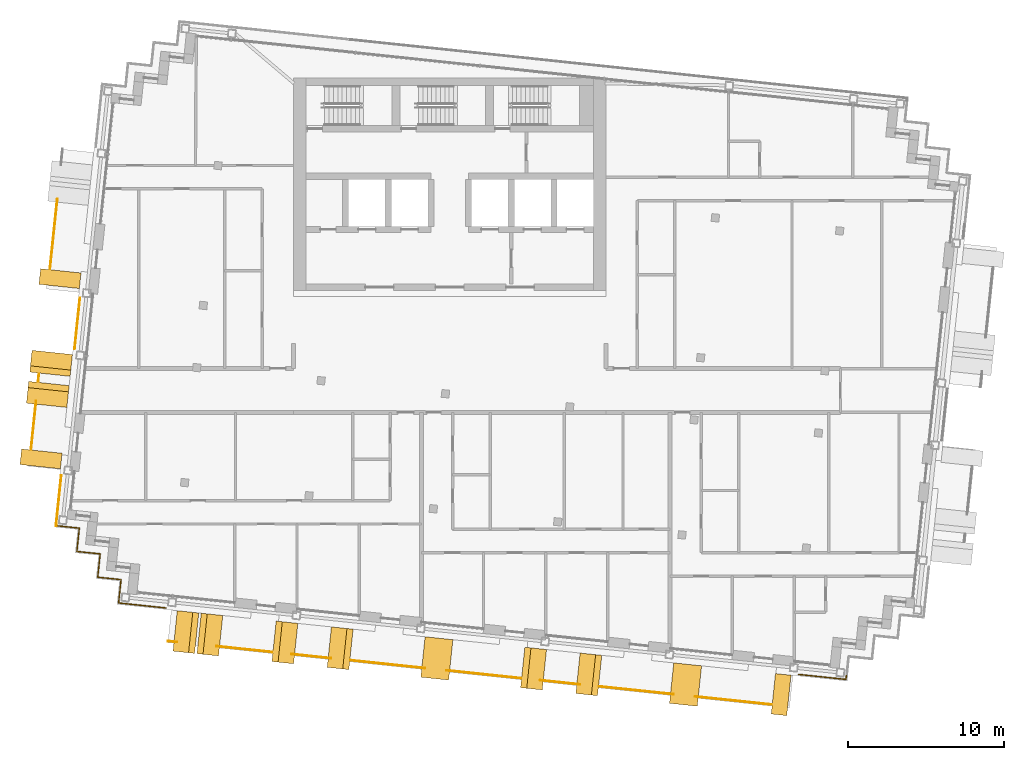
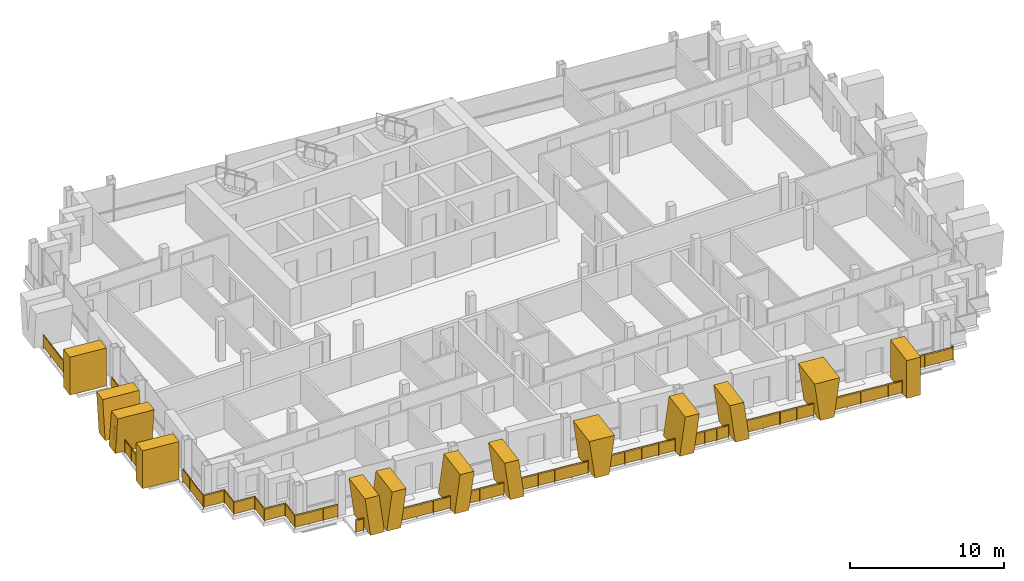
# One storey, part 14 of 17: 15 railings, 13 shading devices.
"""IFC4 building model written with IfcOpenShell, lengths in metres."""

from ifc_helpers import new_model, si_unit, direction, frame, origin, origin_2d, place, context, subcontext, project, spatial, polyline, rectangle, circle, outline, extrude, material, layer, layer_set, type_object, element, save


model = new_model("IFC4")

# Units and contexts
model_context = context("Model", 3, precision=1e-05, world=origin(), true_north=direction((0.0, 1.0)))
body_context = subcontext(model_context, "Body", "Model", "MODEL_VIEW")
ifc_project = project(units=[si_unit("LENGTHUNIT", "METRE"), si_unit("AREAUNIT", "SQUARE_METRE"), si_unit("VOLUMEUNIT", "CUBIC_METRE"), si_unit("PLANEANGLEUNIT", "RADIAN"), si_unit("MASSUNIT", "GRAM", prefix="KILO")], contexts=[model_context])

# Site, building, storey
site_placement = place(None, origin())
site = spatial("IfcSite", under=ifc_project, at=site_placement, CompositionType="ELEMENT")
building_placement = place(site_placement, origin())
building = spatial("IfcBuilding", under=site, at=building_placement, Name="Vidyagriha Tower", CompositionType="ELEMENT")
storey_placement = place(building_placement, frame((0.0, 0.0, 269.10009765625)))
storey = spatial("IfcBuildingStorey", under=building, at=storey_placement, Name="L70", CompositionType="ELEMENT", Elevation=269.10009765625)

# Railings
ifc_material_1 = material(Name="Steel ASTM A500 Grade C black painted", Category="steel")
railing_type_1 = type_object("IfcRailingType", Name="Balcony guard 1100", PredefinedType="BALUSTRADE", material=ifc_material_1)
railing_1_placement = place(storey_placement, frame((-25.111328125, 12.24951171875, 0.0)))
element("IfcRailing", 1, at=railing_1_placement, inside=storey, type_object=railing_type_1, Name="Balcony guard L70 R14.1-2", PredefinedType="BALUSTRADE", context=body_context, shape_type="SweptSolid", body=[
    extrude(circle(Radius=0.02490234375, at=origin_2d()), frame((0.0, 0.0, 1.0751953125), z_axis=(-0.104512386779, -0.994523584944, 0.0), x_axis=(0.994523584944, -0.104512386779, 0.0)), (0.0, 0.0, 1.0), 4.496826171875),
    extrude(circle(Radius=0.02001953125, at=origin_2d()), origin(), (0.0, 0.0, 1.0), 1.050048828125),
    extrude(circle(Radius=0.02001953125, at=origin_2d()), frame((-0.117431640625, -1.1181640625, 0.0)), (0.0, 0.0, 1.0), 1.050048828125),
    extrude(circle(Radius=0.02001953125, at=origin_2d()), frame((-0.23486328125, -2.236083984375, 0.0)), (0.0, 0.0, 1.0), 1.050048828125),
    extrude(circle(Radius=0.02001953125, at=origin_2d()), frame((-0.3525390625, -3.35400390625, 0.0)), (0.0, 0.0, 1.0), 1.050048828125),
    extrude(circle(Radius=0.02001953125, at=origin_2d()), frame((-0.469970703125, -4.47216796875, 0.0)), (0.0, 0.0, 1.0), 1.050048828125),
    extrude(rectangle(XDim=0.010009765625, YDim=0.900146484375, at=origin_2d()), frame((0.0, 0.0, 0.550048828125), z_axis=(-0.104512386779, -0.994523584944, 0.0), x_axis=(0.994523584944, -0.104512386779, 0.0)), (0.0, 0.0, 1.0), 4.496826171875),
])
railing_2_placement = place(storey_placement, frame((-26.286865234375, 1.064453125, 0.0)))
element("IfcRailing", 2, at=railing_2_placement, inside=storey, type_object=railing_type_1, Name="Balcony guard L70 R14.2-1", PredefinedType="BALUSTRADE", context=body_context, shape_type="SweptSolid", body=[
    extrude(circle(Radius=0.02490234375, at=origin_2d()), frame((0.0, 0.0, 1.0751953125), z_axis=(-0.104481464157, -0.994526834051, 0.0), x_axis=(0.994526834051, -0.104481464157, 0.0)), (0.0, 0.0, 1.0), 0.5),
    extrude(circle(Radius=0.02001953125, at=origin_2d()), origin(), (0.0, 0.0, 1.0), 1.050048828125),
    extrude(circle(Radius=0.02001953125, at=origin_2d()), frame((-0.05224609375, -0.497314453125, 0.0)), (0.0, 0.0, 1.0), 1.050048828125),
    extrude(rectangle(XDim=0.010009765625, YDim=0.900146484375, at=origin_2d()), frame((0.0, 0.0, 0.550048828125), z_axis=(-0.104481464157, -0.994526834051, 0.0), x_axis=(0.994526834051, -0.104481464157, 0.0)), (0.0, 0.0, 1.0), 0.5),
])
railing_3_placement = place(storey_placement, frame((-26.47021484375, -0.679443359375, 0.0)))
element("IfcRailing", 3, at=railing_3_placement, inside=storey, type_object=railing_type_1, Name="Balcony guard L70 R14.2-2", PredefinedType="BALUSTRADE", context=body_context, shape_type="SweptSolid", body=[
    extrude(circle(Radius=0.02490234375, at=origin_2d()), frame((0.0, 0.0, 1.0751953125), z_axis=(-0.104545242946, -0.99452013161, 0.0), x_axis=(0.99452013161, -0.104545242946, 0.0)), (0.0, 0.0, 1.0), 3.0966796875),
    extrude(circle(Radius=0.02001953125, at=origin_2d()), origin(), (0.0, 0.0, 1.0), 1.050048828125),
    extrude(circle(Radius=0.02001953125, at=origin_2d()), frame((-0.10791015625, -1.026611328125, 0.0)), (0.0, 0.0, 1.0), 1.050048828125),
    extrude(circle(Radius=0.02001953125, at=origin_2d()), frame((-0.2158203125, -2.052978515625, 0.0)), (0.0, 0.0, 1.0), 1.050048828125),
    extrude(circle(Radius=0.02001953125, at=origin_2d()), frame((-0.32373046875, -3.07958984375, 0.0)), (0.0, 0.0, 1.0), 1.050048828125),
    extrude(rectangle(XDim=0.010009765625, YDim=0.900146484375, at=origin_2d()), frame((0.0, 0.0, 0.550048828125), z_axis=(-0.104545242946, -0.99452013161, 0.0), x_axis=(0.99452013161, -0.104545242946, 0.0)), (0.0, 0.0, 1.0), 3.0966796875),
])
railing_4_placement = place(storey_placement, frame((-18.02978515625, -16.04248046875, 0.0)))
element("IfcRailing", 4, at=railing_4_placement, inside=storey, type_object=railing_type_1, Name="Balcony guard L70 R21.1-1", PredefinedType="BALUSTRADE", context=body_context, shape_type="SweptSolid", body=[
    extrude(circle(Radius=0.02490234375, at=origin_2d()), frame((0.0, 0.0, 1.0751953125), z_axis=(0.994505452921, -0.104684784518, 0.0), x_axis=(0.104684784518, 0.994505452921, 0.0)), (0.0, 0.0, 1.0), 0.57373046875),
    extrude(circle(Radius=0.02001953125, at=origin_2d()), origin(), (0.0, 0.0, 1.0), 1.050048828125),
    extrude(circle(Radius=0.02001953125, at=origin_2d()), frame((0.570556640625, -0.06005859375, 0.0)), (0.0, 0.0, 1.0), 1.050048828125),
    extrude(rectangle(XDim=0.010009765625, YDim=0.900146484375, at=origin_2d()), frame((0.0, 0.0, 0.550048828125), z_axis=(0.994505452921, -0.104684784518, 0.0), x_axis=(0.104684784518, 0.994505452921, 0.0)), (0.0, 0.0, 1.0), 0.57373046875),
])
railing_5_placement = place(storey_placement, frame((-14.92041015625, -16.369384765625, 0.0)))
element("IfcRailing", 5, at=railing_5_placement, inside=storey, type_object=railing_type_1, Name="Balcony guard L70 R21.1-2", PredefinedType="BALUSTRADE", context=body_context, shape_type="SweptSolid", body=[
    extrude(circle(Radius=0.02490234375, at=origin_2d()), frame((0.0, 0.0, 1.0751953125), z_axis=(0.994521912078, -0.104528304285, 0.0), x_axis=(0.104528304285, 0.994521912078, 0.0)), (0.0, 0.0, 1.0), 3.573486328125),
    extrude(circle(Radius=0.02001953125, at=origin_2d()), origin(), (0.0, 0.0, 1.0), 1.050048828125),
    extrude(circle(Radius=0.02001953125, at=origin_2d()), frame((1.1845703125, -0.12451171875, 0.0)), (0.0, 0.0, 1.0), 1.050048828125),
    extrude(circle(Radius=0.02001953125, at=origin_2d()), frame((2.369384765625, -0.2490234375, 0.0)), (0.0, 0.0, 1.0), 1.050048828125),
    extrude(circle(Radius=0.02001953125, at=origin_2d()), frame((3.553955078125, -0.37353515625, 0.0)), (0.0, 0.0, 1.0), 1.050048828125),
    extrude(rectangle(XDim=0.010009765625, YDim=0.900146484375, at=origin_2d()), frame((0.0, 0.0, 0.550048828125), z_axis=(0.994521912078, -0.104528304285, 0.0), x_axis=(0.104528304285, 0.994521912078, 0.0)), (0.0, 0.0, 1.0), 3.573486328125),
])
railing_6_placement = place(storey_placement, frame((-10.121826171875, -16.873779296875, 0.0)))
element("IfcRailing", 6, at=railing_6_placement, inside=storey, type_object=railing_type_1, Name="Balcony guard L70 R21.1-3", PredefinedType="BALUSTRADE", context=body_context, shape_type="SweptSolid", body=[
    extrude(circle(Radius=0.02490234375, at=origin_2d()), frame((0.0, 0.0, 1.0751953125), z_axis=(0.994527489205, -0.10447522776, 0.0), x_axis=(0.10447522776, 0.994527489205, 0.0)), (0.0, 0.0, 1.0), 2.547119140625),
    extrude(circle(Radius=0.02001953125, at=origin_2d()), origin(), (0.0, 0.0, 1.0), 1.050048828125),
    extrude(circle(Radius=0.02001953125, at=origin_2d()), frame((0.844482421875, -0.088623046875, 0.0)), (0.0, 0.0, 1.0), 1.050048828125),
    extrude(circle(Radius=0.02001953125, at=origin_2d()), frame((1.688720703125, -0.177490234375, 0.0)), (0.0, 0.0, 1.0), 1.050048828125),
    extrude(circle(Radius=0.02001953125, at=origin_2d()), frame((2.533203125, -0.26611328125, 0.0)), (0.0, 0.0, 1.0), 1.050048828125),
    extrude(rectangle(XDim=0.010009765625, YDim=0.900146484375, at=origin_2d()), frame((0.0, 0.0, 0.550048828125), z_axis=(0.994527489205, -0.10447522776, 0.0), x_axis=(0.10447522776, 0.994527489205, 0.0)), (0.0, 0.0, 1.0), 2.547119140625),
])
for number, where, name in (
    (7, (-6.343994140625, -17.270751953125, 0.0), "Balcony guard L70 R21.1-4"),
    (8, (-0.201416015625, -17.916259765625, 0.0), "Balcony guard L70 R21.1-5"),
):
    element("IfcRailing", number, at=place(storey_placement, frame(where)), inside=storey, type_object=railing_type_1, Name=name, PredefinedType="BALUSTRADE", context=body_context, shape_type="SweptSolid", body=[
        extrude(circle(Radius=0.02490234375, at=origin_2d()), frame((0.0, 0.0, 1.0751953125), z_axis=(0.994520575937, -0.104541016056, 0.0), x_axis=(0.104541016056, 0.994520575937, 0.0)), (0.0, 0.0, 1.0), 4.7734375),
        extrude(circle(Radius=0.02001953125, at=origin_2d()), origin(), (0.0, 0.0, 1.0), 1.050048828125),
        extrude(circle(Radius=0.02001953125, at=origin_2d()), frame((1.186767578125, -0.124755859375, 0.0)), (0.0, 0.0, 1.0), 1.050048828125),
        extrude(circle(Radius=0.02001953125, at=origin_2d()), frame((2.37353515625, -0.24951171875, 0.0)), (0.0, 0.0, 1.0), 1.050048828125),
        extrude(circle(Radius=0.02001953125, at=origin_2d()), frame((3.560546875, -0.374267578125, 0.0)), (0.0, 0.0, 1.0), 1.050048828125),
        extrude(circle(Radius=0.02001953125, at=origin_2d()), frame((4.747314453125, -0.4990234375, 0.0)), (0.0, 0.0, 1.0), 1.050048828125),
        extrude(rectangle(XDim=0.010009765625, YDim=0.900146484375, at=origin_2d()), frame((0.0, 0.0, 0.550048828125), z_axis=(0.994520575937, -0.104541016056, 0.0), x_axis=(0.104541016056, 0.994520575937, 0.0)), (0.0, 0.0, 1.0), 4.7734375),
    ])
railing_7_placement = place(storey_placement, frame((5.79052734375, -18.546142578125, 0.0)))
element("IfcRailing", 9, at=railing_7_placement, inside=storey, type_object=railing_type_1, Name="Balcony guard L70 R21.1-6", PredefinedType="BALUSTRADE", context=body_context, shape_type="SweptSolid", body=[
    extrude(circle(Radius=0.02490234375, at=origin_2d()), frame((0.0, 0.0, 1.0751953125), z_axis=(0.994527489205, -0.10447522776, 0.0), x_axis=(0.10447522776, 0.994527489205, 0.0)), (0.0, 0.0, 1.0), 2.547119140625),
    extrude(circle(Radius=0.02001953125, at=origin_2d()), origin(), (0.0, 0.0, 1.0), 1.050048828125),
    extrude(circle(Radius=0.02001953125, at=origin_2d()), frame((0.844482421875, -0.088623046875, 0.0)), (0.0, 0.0, 1.0), 1.050048828125),
    extrude(circle(Radius=0.02001953125, at=origin_2d()), frame((1.688720703125, -0.177490234375, 0.0)), (0.0, 0.0, 1.0), 1.050048828125),
    extrude(circle(Radius=0.02001953125, at=origin_2d()), frame((2.533203125, -0.26611328125, 0.0)), (0.0, 0.0, 1.0), 1.050048828125),
    extrude(rectangle(XDim=0.010009765625, YDim=0.900146484375, at=origin_2d()), frame((0.0, 0.0, 0.550048828125), z_axis=(0.994527489205, -0.10447522776, 0.0), x_axis=(0.10447522776, 0.994527489205, 0.0)), (0.0, 0.0, 1.0), 2.547119140625),
])
railing_8_placement = place(storey_placement, frame((9.568359375, -18.943115234375, 0.0)))
element("IfcRailing", 10, at=railing_8_placement, inside=storey, type_object=railing_type_1, Name="Balcony guard L70 R21.1-7", PredefinedType="BALUSTRADE", context=body_context, shape_type="SweptSolid", body=[
    extrude(circle(Radius=0.02490234375, at=origin_2d()), frame((0.0, 0.0, 1.0751953125), z_axis=(0.994520575937, -0.104541016056, 0.0), x_axis=(0.104541016056, 0.994520575937, 0.0)), (0.0, 0.0, 1.0), 4.7734375),
    extrude(circle(Radius=0.02001953125, at=origin_2d()), origin(), (0.0, 0.0, 1.0), 1.050048828125),
    extrude(circle(Radius=0.02001953125, at=origin_2d()), frame((1.186767578125, -0.124755859375, 0.0)), (0.0, 0.0, 1.0), 1.050048828125),
    extrude(circle(Radius=0.02001953125, at=origin_2d()), frame((2.37353515625, -0.24951171875, 0.0)), (0.0, 0.0, 1.0), 1.050048828125),
    extrude(circle(Radius=0.02001953125, at=origin_2d()), frame((3.560546875, -0.374267578125, 0.0)), (0.0, 0.0, 1.0), 1.050048828125),
    extrude(circle(Radius=0.02001953125, at=origin_2d()), frame((4.747314453125, -0.4990234375, 0.0)), (0.0, 0.0, 1.0), 1.050048828125),
    extrude(rectangle(XDim=0.010009765625, YDim=0.900146484375, at=origin_2d()), frame((0.0, 0.0, 0.550048828125), z_axis=(0.994520575937, -0.104541016056, 0.0), x_axis=(0.104541016056, 0.994520575937, 0.0)), (0.0, 0.0, 1.0), 4.7734375),
])
railing_9_placement = place(storey_placement, frame((15.7109375, -19.5888671875, 0.0)))
element("IfcRailing", 11, at=railing_9_placement, inside=storey, type_object=railing_type_1, Name="Balcony guard L70 R21.1-8", PredefinedType="BALUSTRADE", context=body_context, shape_type="SweptSolid", body=[
    extrude(circle(Radius=0.02490234375, at=origin_2d()), frame((0.0, 0.0, 1.0751953125), z_axis=(0.994523190139, -0.104516143616, 0.0), x_axis=(0.104516143616, 0.994523190139, 0.0)), (0.0, 0.0, 1.0), 4.8984375),
    extrude(circle(Radius=0.02001953125, at=origin_2d()), origin(), (0.0, 0.0, 1.0), 1.050048828125),
    extrude(circle(Radius=0.02001953125, at=origin_2d()), frame((0.974365234375, -0.102294921875, 0.0)), (0.0, 0.0, 1.0), 1.050048828125),
    extrude(circle(Radius=0.02001953125, at=origin_2d()), frame((1.94873046875, -0.204833984375, 0.0)), (0.0, 0.0, 1.0), 1.050048828125),
    extrude(circle(Radius=0.02001953125, at=origin_2d()), frame((2.9228515625, -0.30712890625, 0.0)), (0.0, 0.0, 1.0), 1.050048828125),
    extrude(circle(Radius=0.02001953125, at=origin_2d()), frame((3.897216796875, -0.40966796875, 0.0)), (0.0, 0.0, 1.0), 1.050048828125),
    extrude(circle(Radius=0.02001953125, at=origin_2d()), frame((4.87158203125, -0.511962890625, 0.0)), (0.0, 0.0, 1.0), 1.050048828125),
    extrude(rectangle(XDim=0.010009765625, YDim=0.900146484375, at=origin_2d()), frame((0.0, 0.0, 0.550048828125), z_axis=(0.994523190139, -0.104516143616, 0.0), x_axis=(0.104516143616, 0.994523190139, 0.0)), (0.0, 0.0, 1.0), 4.8984375),
])

# Shading devices
ifc_material_2 = material(Name="Precast concrete C40/50 with buff brick facing", Category="concrete")
ifc_layer_1 = layer(ifc_material_2, 1.0)
ifc_layer_set_1 = layer_set([ifc_layer_1], Name="Precast concrete C40/50 with buff brick facing")
shading_device_type_1 = type_object("IfcShadingDeviceType", Name="Brick-faced blade fin arm leaning 8 degrees", PredefinedType="USERDEFINED", material=ifc_layer_set_1)
shading_device_1_placement = place(storey_placement, frame((-25.648193359375, 0.444091796875, 0.0), z_axis=(0.0, 0.0, 1.0), x_axis=(-0.104648468085, -0.994509275033, 0.0)))
element("IfcShadingDevice", 12, at=shading_device_1_placement, inside=storey, type_object=shading_device_type_1, Name="Leaning blade fin L70 R14.1630a", ObjectType="BLADE FIN", PredefinedType="USERDEFINED", context=body_context, shape_type="SweptSolid", body=[
    extrude(outline(polyline([(0.0, 0.0), (1.0, 0.0), (1.39990234375, 3.0), (0.39990234375, 3.0), (0.0, 0.0)])), frame((0.0, 1.300048828125, 0.0), z_axis=(0.0, -1.0, 0.0), x_axis=(1.0, 0.0, 0.0)), (0.0, 0.0, 1.0), 2.60009765625),
])
shading_device_2_placement = place(storey_placement, frame((-25.439208984375, 2.433349609375, 0.0), z_axis=(0.0, 0.0, 1.0), x_axis=(-0.104457839748, -0.994529315664, 0.0)))
element("IfcShadingDevice", 13, at=shading_device_2_placement, inside=storey, type_object=shading_device_type_1, Name="Leaning blade fin L70 R14.1630b", ObjectType="BLADE FIN", PredefinedType="USERDEFINED", context=body_context, shape_type="SweptSolid", body=[
    extrude(outline(polyline([(0.39990234375, 0.0), (1.39990234375, 0.0), (1.0, 3.0), (0.0, 3.0), (0.39990234375, 0.0)])), frame((0.0, 1.300048828125, 0.0), z_axis=(0.0, -1.0, 0.0), x_axis=(1.0, 0.0, 0.0)), (0.0, 0.0, 1.0), 2.60009765625),
])
shading_device_3_placement = place(storey_placement, frame((-16.03857421875, -15.548095703125, 0.0), z_axis=(0.0, 0.0, 1.0), x_axis=(0.99452763387, -0.104473850644, 0.0)))
element("IfcShadingDevice", 14, at=shading_device_3_placement, inside=storey, type_object=shading_device_type_1, Name="Leaning blade fin L70 R21.230a", ObjectType="BLADE FIN", PredefinedType="USERDEFINED", context=body_context, shape_type="SweptSolid", body=[
    extrude(outline(polyline([(0.0, 0.0), (1.0, 0.0), (1.3857421875, 3.0), (0.3857421875, 3.0), (0.0, 0.0)])), frame((0.0, 1.300048828125, 0.0), z_axis=(0.0, -1.0, 0.0), x_axis=(1.0, 0.0, 0.0)), (0.0, 0.0, 1.0), 2.60009765625),
])
shading_device_4_placement = place(storey_placement, frame((-17.572998046875, -15.38671875, 0.0), z_axis=(0.0, 0.0, 1.0), x_axis=(0.99452763387, -0.104473850644, 0.0)))
element("IfcShadingDevice", 15, at=shading_device_4_placement, inside=storey, type_object=shading_device_type_1, Name="Leaning blade fin L70 R21.230b", ObjectType="BLADE FIN", PredefinedType="USERDEFINED", context=body_context, shape_type="SweptSolid", body=[
    extrude(outline(polyline([(0.3857421875, 0.0), (1.3857421875, 0.0), (1.0, 3.0), (0.0, 3.0), (0.3857421875, 0.0)])), frame((0.0, 1.300048828125, 0.0), z_axis=(0.0, -1.0, 0.0), x_axis=(1.0, 0.0, 0.0)), (0.0, 0.0, 1.0), 2.60009765625),
])
shading_device_5_placement = place(storey_placement, frame((-7.7080078125, -16.423583984375, 0.0), z_axis=(0.0, 0.0, 1.0), x_axis=(0.994525575058, -0.104493447432, 0.0)))
element("IfcShadingDevice", 16, at=shading_device_5_placement, inside=storey, type_object=shading_device_type_1, Name="Leaning blade fin L70 R21.1030a", ObjectType="BLADE FIN", PredefinedType="USERDEFINED", context=body_context, shape_type="SweptSolid", body=[
    extrude(outline(polyline([(0.39501953125, 0.0), (1.39501953125, 0.0), (1.0, 3.0), (0.0, 3.0), (0.39501953125, 0.0)])), frame((0.0, 1.300048828125, 0.0), z_axis=(0.0, -1.0, 0.0), x_axis=(1.0, 0.0, 0.0)), (0.0, 0.0, 1.0), 2.60009765625),
])
shading_device_6_placement = place(storey_placement, frame((-11.243408203125, -16.052001953125, 0.0), z_axis=(0.0, 0.0, 1.0), x_axis=(0.994525575058, -0.104493447432, 0.0)))
element("IfcShadingDevice", 17, at=shading_device_6_placement, inside=storey, type_object=shading_device_type_1, Name="Leaning blade fin L70 R21.1030b", ObjectType="BLADE FIN", PredefinedType="USERDEFINED", context=body_context, shape_type="SweptSolid", body=[
    extrude(outline(polyline([(0.0, 0.0), (1.0, 0.0), (1.39501953125, 3.0), (0.39501953125, 3.0), (0.0, 0.0)])), frame((0.0, 1.300048828125, 0.0), z_axis=(0.0, -1.0, 0.0), x_axis=(1.0, 0.0, 0.0)), (0.0, 0.0, 1.0), 2.60009765625),
])
shading_device_7_placement = place(storey_placement, frame((8.204345703125, -18.095947265625, 0.0), z_axis=(0.0, 0.0, 1.0), x_axis=(0.9945274857, -0.104475261123, 0.0)))
element("IfcShadingDevice", 18, at=shading_device_7_placement, inside=storey, type_object=shading_device_type_1, Name="Leaning blade fin L70 R21.2630a", ObjectType="BLADE FIN", PredefinedType="USERDEFINED", context=body_context, shape_type="SweptSolid", body=[
    extrude(outline(polyline([(0.39501953125, 0.0), (1.39501953125, 0.0), (1.0, 3.0), (0.0, 3.0), (0.39501953125, 0.0)])), frame((0.0, 1.300048828125, 0.0), z_axis=(0.0, -1.0, 0.0), x_axis=(1.0, 0.0, 0.0)), (0.0, 0.0, 1.0), 2.60009765625),
])
shading_device_8_placement = place(storey_placement, frame((4.668701171875, -17.724365234375, 0.0), z_axis=(0.0, 0.0, 1.0), x_axis=(0.9945274857, -0.104475261123, 0.0)))
element("IfcShadingDevice", 19, at=shading_device_8_placement, inside=storey, type_object=shading_device_type_1, Name="Leaning blade fin L70 R21.2630b", ObjectType="BLADE FIN", PredefinedType="USERDEFINED", context=body_context, shape_type="SweptSolid", body=[
    extrude(outline(polyline([(0.0, 0.0), (1.0, 0.0), (1.39501953125, 3.0), (0.39501953125, 3.0), (0.0, 0.0)])), frame((0.0, 1.300048828125, 0.0), z_axis=(0.0, -1.0, 0.0), x_axis=(1.0, 0.0, 0.0)), (0.0, 0.0, 1.0), 2.60009765625),
])
ifc_material_3 = material(Name="Precast concrete C40/50 with buff brick facing", Category="concrete")
ifc_layer_2 = layer(ifc_material_3, 1.0)
ifc_layer_set_2 = layer_set([ifc_layer_2], Name="Precast concrete C40/50 with buff brick facing")
shading_device_type_2 = type_object("IfcShadingDeviceType", Name="Brick-faced blade fin forking 8 degrees", PredefinedType="USERDEFINED", material=ifc_layer_set_2)
for number, where, z_axis, x_axis, name in (
    (20, (-1.716064453125, -17.05322265625, 0.0), (0.0, 0.0, 1.0), (0.994513670273, -0.104606690222, 0.0), "Forked blade fin L70 R21.1830a"),
    (21, (14.1962890625, -18.725830078125, 0.0), (0.0, 0.0, 1.0), (0.994527849757, -0.104471795517, 0.0), "Forked blade fin L70 R21.3430a"),
):
    element("IfcShadingDevice", number, at=place(storey_placement, frame(where, z_axis=z_axis, x_axis=x_axis)), inside=storey, type_object=shading_device_type_2, Name=name, ObjectType="BLADE FIN", PredefinedType="USERDEFINED", context=body_context, shape_type="SweptSolid", body=[
        extrude(outline(polyline([(0.39501953125, 0.0), (1.39501953125, 0.0), (1.7900390625, 3.0), (0.0, 3.0), (0.39501953125, 0.0)])), frame((0.0, 1.300048828125, 0.0), z_axis=(0.0, -1.0, 0.0), x_axis=(1.0, 0.0, 0.0)), (0.0, 0.0, 1.0), 2.60009765625),
    ])
ifc_material_4 = material(Name="Precast concrete C40/50 with buff brick facing", Category="concrete")
ifc_layer_3 = layer(ifc_material_4, 1.0)
ifc_layer_set_3 = layer_set([ifc_layer_3], Name="Precast concrete C40/50 with buff brick facing")
shading_device_type_3 = type_object("IfcShadingDeviceType", Name="Brick-faced blade fin stem 1000", PredefinedType="USERDEFINED", material=ifc_layer_set_3)
for number, where, z_axis, x_axis, name in (
    (22, (-24.890380859375, 7.654541015625, 0.0), (0.0, 0.0, 1.0), (-0.104481464157, -0.994526834051, 0.0), "Stem blade fin L70 R14.1230a"),
    (23, (-26.102783203125, -3.882080078125, 0.0), (0.0, 0.0, 1.0), (-0.104748335039, -0.99449876134, 0.0), "Stem blade fin L70 R14.2370a"),
    (24, (20.70556640625, -19.409912109375, 0.0), (0.0, 0.0, 1.0), (0.994524168223, -0.104506836238, 0.0), "Stem blade fin L70 R21.4230a"),
):
    element("IfcShadingDevice", number, at=place(storey_placement, frame(where, z_axis=z_axis, x_axis=x_axis)), inside=storey, type_object=shading_device_type_3, Name=name, ObjectType="BLADE FIN", PredefinedType="USERDEFINED", context=body_context, shape_type="SweptSolid", body=[
        extrude(outline(polyline([(0.0, 0.0), (1.0, 0.0), (1.0, 3.0), (0.0, 3.0), (0.0, 0.0)])), frame((0.0, 1.300048828125, 0.0), z_axis=(0.0, -1.0, 0.0), x_axis=(1.0, 0.0, 0.0)), (0.0, 0.0, 1.0), 2.60009765625),
    ])

# Railings
ifc_material_5 = material(Name="Steel ASTM A500 Grade C black painted", Category="steel")
railing_type_2 = type_object("IfcRailingType", Name="Gallery guard 1100", PredefinedType="GUARDRAIL", material=ifc_material_5)
railing_10_placement = place(storey_placement, frame((-18.168212890625, -13.91650390625, 0.0)))
element("IfcRailing", 25, at=railing_10_placement, inside=storey, type_object=railing_type_2, Name="Gallery guard L70 1", PredefinedType="GUARDRAIL", context=body_context, shape_type="SweptSolid", body=[
    extrude(circle(Radius=0.02490234375, at=origin_2d()), frame((0.0, 0.0, 1.0751953125), z_axis=(-0.994518646122, 0.104559373163, 0.0), x_axis=(-0.104559373163, -0.994518646122, 0.0)), (0.0, 0.0, 1.0), 3.0400390625),
    extrude(circle(Radius=0.02490234375, at=origin_2d()), frame((-3.0234375, 0.31787109375, 1.0751953125), z_axis=(0.104481464157, 0.994526834051, 0.0), x_axis=(-0.994526834051, 0.104481464157, 0.0)), (0.0, 0.0, 1.0), 1.500244140625),
    extrude(circle(Radius=0.02490234375, at=origin_2d()), frame((-2.86669921875, 1.809814453125, 1.0751953125), z_axis=(-0.994525057048, 0.104498377516, 0.0), x_axis=(-0.104498377516, -0.994525057048, 0.0)), (0.0, 0.0, 1.0), 1.5),
    extrude(circle(Radius=0.02490234375, at=origin_2d()), frame((-4.3583984375, 1.966552734375, 1.0751953125), z_axis=(0.104498377516, 0.994525057048, 0.0), x_axis=(-0.994525057048, 0.104498377516, 0.0)), (0.0, 0.0, 1.0), 1.5),
    extrude(circle(Radius=0.02490234375, at=origin_2d()), frame((-4.20166015625, 3.458251953125, 1.0751953125), z_axis=(-0.994525057048, 0.104498377516, 0.0), x_axis=(-0.104498377516, -0.994525057048, 0.0)), (0.0, 0.0, 1.0), 1.5),
    extrude(circle(Radius=0.02490234375, at=origin_2d()), frame((-5.693359375, 3.614990234375, 1.0751953125), z_axis=(0.104498377516, 0.994525057048, 0.0), x_axis=(-0.994525057048, 0.104498377516, 0.0)), (0.0, 0.0, 1.0), 1.5),
    extrude(circle(Radius=0.02490234375, at=origin_2d()), frame((-5.53662109375, 5.106689453125, 1.0751953125), z_axis=(-0.994505452921, 0.104684784518, 0.0), x_axis=(-0.104684784518, -0.994505452921, 0.0)), (0.0, 0.0, 1.0), 1.4599609375),
    extrude(circle(Radius=0.02001953125, at=origin_2d()), origin(), (0.0, 0.0, 1.0), 1.050048828125),
    extrude(circle(Radius=0.02001953125, at=origin_2d()), frame((-1.0078125, 0.10595703125, 0.0)), (0.0, 0.0, 1.0), 1.050048828125),
    extrude(circle(Radius=0.02001953125, at=origin_2d()), frame((-2.015625, 0.2119140625, 0.0)), (0.0, 0.0, 1.0), 1.050048828125),
    extrude(circle(Radius=0.02001953125, at=origin_2d()), frame((-3.0234375, 0.31787109375, 0.0)), (0.0, 0.0, 1.0), 1.050048828125),
    extrude(circle(Radius=0.02001953125, at=origin_2d()), frame((-2.945068359375, 1.06396484375, 0.0)), (0.0, 0.0, 1.0), 1.050048828125),
    extrude(circle(Radius=0.02001953125, at=origin_2d()), frame((-2.86669921875, 1.809814453125, 0.0)), (0.0, 0.0, 1.0), 1.050048828125),
    extrude(circle(Radius=0.02001953125, at=origin_2d()), frame((-4.3583984375, 1.966552734375, 0.0)), (0.0, 0.0, 1.0), 1.050048828125),
    extrude(circle(Radius=0.02001953125, at=origin_2d()), frame((-4.20166015625, 3.458251953125, 0.0)), (0.0, 0.0, 1.0), 1.050048828125),
    extrude(circle(Radius=0.02001953125, at=origin_2d()), frame((-5.693359375, 3.614990234375, 0.0)), (0.0, 0.0, 1.0), 1.050048828125),
    extrude(circle(Radius=0.02001953125, at=origin_2d()), frame((-5.53662109375, 5.106689453125, 0.0)), (0.0, 0.0, 1.0), 1.050048828125),
    extrude(circle(Radius=0.02001953125, at=origin_2d()), frame((-6.988525390625, 5.259521484375, 0.0)), (0.0, 0.0, 1.0), 1.050048828125),
    extrude(rectangle(XDim=0.010009765625, YDim=0.900146484375, at=origin_2d()), frame((0.0, 0.0, 0.550048828125), z_axis=(-0.994518646122, 0.104559373163, 0.0), x_axis=(-0.104559373163, -0.994518646122, 0.0)), (0.0, 0.0, 1.0), 3.0400390625),
    extrude(rectangle(XDim=0.010009765625, YDim=0.900146484375, at=origin_2d()), frame((-3.0234375, 0.31787109375, 0.550048828125), z_axis=(0.104481464157, 0.994526834051, 0.0), x_axis=(-0.994526834051, 0.104481464157, 0.0)), (0.0, 0.0, 1.0), 1.500244140625),
    extrude(rectangle(XDim=0.010009765625, YDim=0.900146484375, at=origin_2d()), frame((-2.86669921875, 1.809814453125, 0.550048828125), z_axis=(-0.994525057048, 0.104498377516, 0.0), x_axis=(-0.104498377516, -0.994525057048, 0.0)), (0.0, 0.0, 1.0), 1.5),
    extrude(rectangle(XDim=0.010009765625, YDim=0.900146484375, at=origin_2d()), frame((-4.3583984375, 1.966552734375, 0.550048828125), z_axis=(0.104498377516, 0.994525057048, 0.0), x_axis=(-0.994525057048, 0.104498377516, 0.0)), (0.0, 0.0, 1.0), 1.5),
    extrude(rectangle(XDim=0.010009765625, YDim=0.900146484375, at=origin_2d()), frame((-4.20166015625, 3.458251953125, 0.550048828125), z_axis=(-0.994525057048, 0.104498377516, 0.0), x_axis=(-0.104498377516, -0.994525057048, 0.0)), (0.0, 0.0, 1.0), 1.5),
    extrude(rectangle(XDim=0.010009765625, YDim=0.900146484375, at=origin_2d()), frame((-5.693359375, 3.614990234375, 0.550048828125), z_axis=(0.104498377516, 0.994525057048, 0.0), x_axis=(-0.994525057048, 0.104498377516, 0.0)), (0.0, 0.0, 1.0), 1.5),
    extrude(rectangle(XDim=0.010009765625, YDim=0.900146484375, at=origin_2d()), frame((-5.53662109375, 5.106689453125, 0.550048828125), z_axis=(-0.994505452921, 0.104684784518, 0.0), x_axis=(-0.104684784518, -0.994505452921, 0.0)), (0.0, 0.0, 1.0), 1.4599609375),
])
railing_11_placement = place(storey_placement, frame((-25.15673828125, -8.656982421875, 0.0)))
element("IfcRailing", 26, at=railing_11_placement, inside=storey, type_object=railing_type_2, Name="Gallery guard L70 2", PredefinedType="GUARDRAIL", context=body_context, shape_type="SweptSolid", body=[
    extrude(circle(Radius=0.02490234375, at=origin_2d()), frame((0.0, 0.0, 1.0751953125), z_axis=(-0.99460530117, 0.103731841226, 0.0), x_axis=(-0.103731841226, -0.99460530117, 0.0)), (0.0, 0.0, 1.0), 0.0400390625),
    extrude(circle(Radius=0.02490234375, at=origin_2d()), frame((-0.039794921875, 0.004150390625, 1.0751953125), z_axis=(0.104516113735, 0.994523193279, 0.0), x_axis=(-0.994523193279, 0.104516113735, 0.0)), (0.0, 0.0, 1.0), 3.239990234375),
    extrude(circle(Radius=0.02001953125, at=origin_2d()), origin(), (0.0, 0.0, 1.0), 1.050048828125),
    extrude(circle(Radius=0.02001953125, at=origin_2d()), frame((-0.039794921875, 0.004150390625, 0.0)), (0.0, 0.0, 1.0), 1.050048828125),
    extrude(circle(Radius=0.02001953125, at=origin_2d()), frame((0.072998046875, 1.078125, 0.0)), (0.0, 0.0, 1.0), 1.050048828125),
    extrude(circle(Radius=0.02001953125, at=origin_2d()), frame((0.18603515625, 2.15234375, 0.0)), (0.0, 0.0, 1.0), 1.050048828125),
    extrude(circle(Radius=0.02001953125, at=origin_2d()), frame((0.298828125, 3.226318359375, 0.0)), (0.0, 0.0, 1.0), 1.050048828125),
    extrude(rectangle(XDim=0.010009765625, YDim=0.900146484375, at=origin_2d()), frame((0.0, 0.0, 0.550048828125), z_axis=(-0.99460530117, 0.103731841226, 0.0), x_axis=(-0.103731841226, -0.99460530117, 0.0)), (0.0, 0.0, 1.0), 0.0400390625),
    extrude(rectangle(XDim=0.010009765625, YDim=0.900146484375, at=origin_2d()), frame((-0.039794921875, 0.004150390625, 0.550048828125), z_axis=(0.104516113735, 0.994523193279, 0.0), x_axis=(-0.994523193279, 0.104516113735, 0.0)), (0.0, 0.0, 1.0), 3.239990234375),
])
railing_12_placement = place(storey_placement, frame((-24.009033203125, 2.64501953125, 0.0)))
element("IfcRailing", 27, at=railing_12_placement, inside=storey, type_object=railing_type_2, Name="Gallery guard L70 3", PredefinedType="GUARDRAIL", context=body_context, shape_type="SweptSolid", body=[
    extrude(circle(Radius=0.02490234375, at=origin_2d()), frame((0.0, 0.0, 1.0751953125), z_axis=(0.104506547029, 0.994524198614, 0.0), x_axis=(-0.994524198614, 0.104506547029, 0.0)), (0.0, 0.0, 1.0), 3.280029296875),
    extrude(circle(Radius=0.02001953125, at=origin_2d()), origin(), (0.0, 0.0, 1.0), 1.050048828125),
    extrude(circle(Radius=0.02001953125, at=origin_2d()), frame((0.1142578125, 1.08740234375, 0.0)), (0.0, 0.0, 1.0), 1.050048828125),
    extrude(circle(Radius=0.02001953125, at=origin_2d()), frame((0.228515625, 2.174560546875, 0.0)), (0.0, 0.0, 1.0), 1.050048828125),
    extrude(circle(Radius=0.02001953125, at=origin_2d()), frame((0.3427734375, 3.261962890625, 0.0)), (0.0, 0.0, 1.0), 1.050048828125),
    extrude(rectangle(XDim=0.010009765625, YDim=0.900146484375, at=origin_2d()), frame((0.0, 0.0, 0.550048828125), z_axis=(0.104506547029, 0.994524198614, 0.0), x_axis=(-0.994524198614, 0.104506547029, 0.0)), (0.0, 0.0, 1.0), 3.280029296875),
])
railing_13_placement = place(storey_placement, frame((25.377197265625, -18.251953125, 0.0)))
element("IfcRailing", 28, at=railing_13_placement, inside=storey, type_object=railing_type_2, Name="Gallery guard L70 12", PredefinedType="GUARDRAIL", context=body_context, shape_type="SweptSolid", body=[
    extrude(circle(Radius=0.02490234375, at=origin_2d()), frame((0.0, 0.0, 1.0751953125), z_axis=(-0.104843742972, -0.994488707608, 0.0), x_axis=(0.994488707608, -0.104843742972, 0.0)), (0.0, 0.0, 1.0), 0.23974609375),
    extrude(circle(Radius=0.02490234375, at=origin_2d()), frame((-0.025146484375, -0.238525390625, 1.0751953125), z_axis=(-0.994518646122, 0.104559373163, 0.0), x_axis=(-0.104559373163, -0.994518646122, 0.0)), (0.0, 0.0, 1.0), 3.0400390625),
    extrude(circle(Radius=0.02001953125, at=origin_2d()), origin(), (0.0, 0.0, 1.0), 1.050048828125),
    extrude(circle(Radius=0.02001953125, at=origin_2d()), frame((-0.025146484375, -0.238525390625, 0.0)), (0.0, 0.0, 1.0), 1.050048828125),
    extrude(circle(Radius=0.02001953125, at=origin_2d()), frame((-1.032958984375, -0.132568359375, 0.0)), (0.0, 0.0, 1.0), 1.050048828125),
    extrude(circle(Radius=0.02001953125, at=origin_2d()), frame((-2.040771484375, -0.026611328125, 0.0)), (0.0, 0.0, 1.0), 1.050048828125),
    extrude(circle(Radius=0.02001953125, at=origin_2d()), frame((-3.048583984375, 0.079345703125, 0.0)), (0.0, 0.0, 1.0), 1.050048828125),
    extrude(rectangle(XDim=0.010009765625, YDim=0.900146484375, at=origin_2d()), frame((0.0, 0.0, 0.550048828125), z_axis=(-0.104843742972, -0.994488707608, 0.0), x_axis=(0.994488707608, -0.104843742972, 0.0)), (0.0, 0.0, 1.0), 0.23974609375),
    extrude(rectangle(XDim=0.010009765625, YDim=0.900146484375, at=origin_2d()), frame((-0.025146484375, -0.238525390625, 0.550048828125), z_axis=(-0.994518646122, 0.104559373163, 0.0), x_axis=(-0.104559373163, -0.994518646122, 0.0)), (0.0, 0.0, 1.0), 3.0400390625),
])

save(model, "model.ifc")
